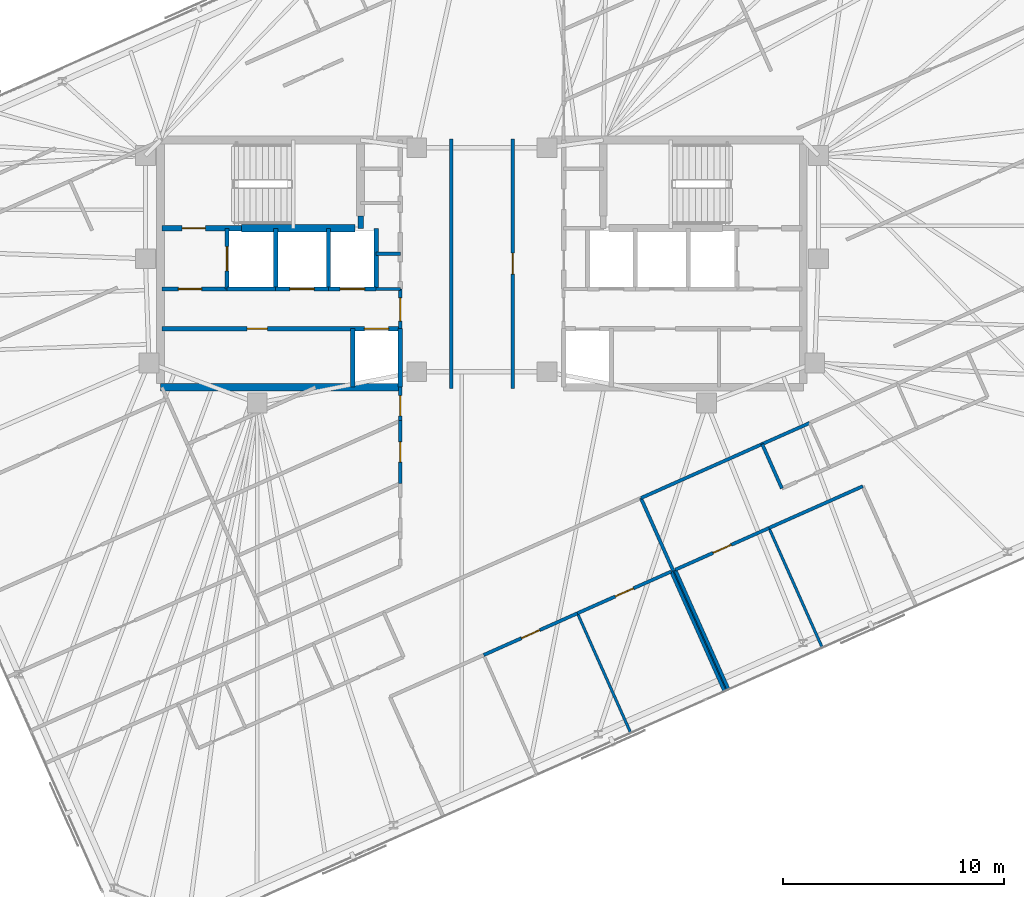
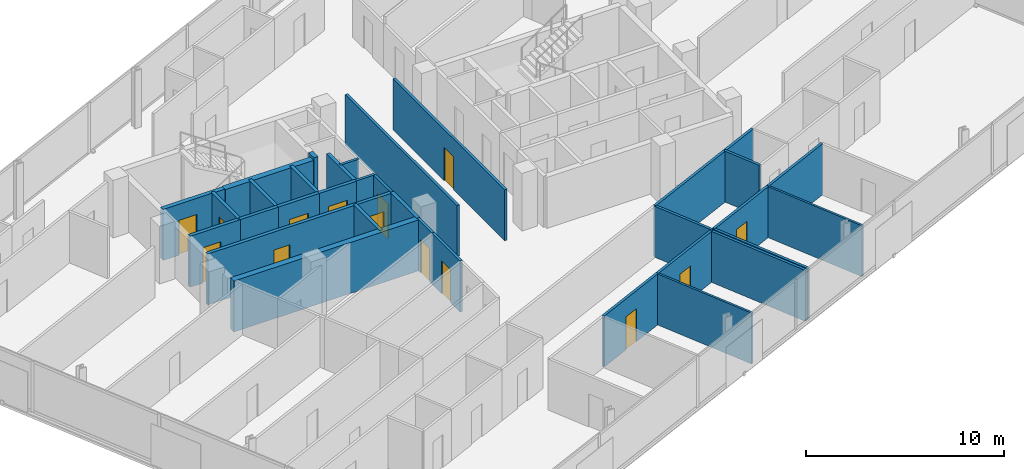
# One storey, part 14 of 19: 34 walls, 14 doors, 14 openings.
"""IFC4 building model written with IfcOpenShell, lengths in metres."""

from ifc_helpers import new_model, si_unit, direction, frame, frame_2d, origin, place, context, subcontext, project, spatial, rectangle, extrude, material, layer, layer_set, type_object, element, fill, save


model = new_model("IFC4")

# Units and contexts
model_context = context("Model", 3, precision=1e-05, world=origin(), true_north=direction((0.0, 1.0)))
body_context = subcontext(model_context, "Body", "Model", "MODEL_VIEW")
ifc_project = project(units=[si_unit("LENGTHUNIT", "METRE"), si_unit("AREAUNIT", "SQUARE_METRE"), si_unit("VOLUMEUNIT", "CUBIC_METRE"), si_unit("PLANEANGLEUNIT", "RADIAN"), si_unit("MASSUNIT", "GRAM", prefix="KILO")], contexts=[model_context])

# Site, building, storey
site_placement = place(None, origin())
site = spatial("IfcSite", under=ifc_project, at=site_placement, CompositionType="ELEMENT")
building_placement = place(site_placement, origin())
building = spatial("IfcBuilding", under=site, at=building_placement, Name="Menara Jurai Vektor", CompositionType="ELEMENT")
storey_placement = place(building_placement, frame((0.0, 0.0, 302.0)))
storey = spatial("IfcBuildingStorey", under=building, at=storey_placement, Name="L81", CompositionType="ELEMENT", Elevation=302.0)

# Wall, opening, door
ifc_material_1 = material(Name="Concrete C40/50", Category="concrete")
ifc_layer_1 = layer(ifc_material_1, 0.25)
ifc_layer_set_1 = layer_set([ifc_layer_1], Name="Concrete C40/50")
wall_type_1 = type_object("IfcWallType", Name="INT-WALL-CORE-250", PredefinedType="STANDARD", material=ifc_layer_set_1)
wall_1_placement = place(storey_placement, frame((-14.5, 1.60009765625, 0.0), z_axis=(0.0, 0.0, 1.0), x_axis=(1.0, 0.0, 0.0)))
wall_1 = element("IfcWall", 1, at=wall_1_placement, inside=storey, type_object=wall_type_1, Name="Interior Wall IW-250 L81", PredefinedType="STANDARD", context=body_context, shape_type="SweptSolid", body=[
    extrude(rectangle(XDim=3.60009765625, YDim=0.25, at=frame_2d((1.800048828125, 0.0))), origin(), (0.0, 0.0, 1.0), 3.14501953125),
])
opening_1_placement = place(wall_1_placement, frame((0.919921875, 0.0, 0.0)))
opening_1 = element("IfcOpeningElement", 2, at=opening_1_placement, cuts=wall_1, Name="Opening D-L81-ST1", PredefinedType="OPENING", context=body_context, shape_type="SweptSolid", body=[
    extrude(rectangle(XDim=1.050048828125, YDim=2.14990234375, at=frame_2d((0.52490234375, 1.074951171875))), frame((0.0, 0.135009765625, 0.0), z_axis=(0.0, -1.0, 0.0), x_axis=(1.0, 0.0, 0.0)), (0.0, 0.0, 1.0), 0.27001953125),
])
ifc_material_2 = material(Name="Fire-Rated Steel Door", Category="steel")
door_type_1 = type_object("IfcDoorType", Name="DR-STAIR-1050", OperationType="NOTDEFINED", PredefinedType="DOOR", material=ifc_material_2)
door_1_placement = place(opening_1_placement, origin())
door_1 = element("IfcDoor", 3, at=door_1_placement, inside=storey, type_object=door_type_1, Name="Exit Stair ST1 Door L81", OperationType="SINGLE_SWING_RIGHT", OverallHeight=2.14990234375, OverallWidth=1.050048828125, PredefinedType="DOOR", context=body_context, shape_type="SweptSolid", body=[
    extrude(rectangle(XDim=1.050048828125, YDim=2.14990234375, at=frame_2d((0.52490234375, 1.074951171875))), frame((0.0, 0.02490234375, 0.0), z_axis=(0.0, -1.0, 0.0), x_axis=(1.0, 0.0, 0.0)), (0.0, 0.0, 1.0), 0.050048828125),
])
fill(opening_1, door_1)

# Wall
wall_2_placement = place(storey_placement, frame((-5.5, 1.60009765625, 0.0), z_axis=(0.0, 0.0, 1.0), x_axis=(0.0, 1.0, 0.0)))
element("IfcWall", 4, at=wall_2_placement, inside=storey, type_object=wall_type_1, Name="Interior Wall IW-250 L81", PredefinedType="STANDARD", context=body_context, shape_type="SweptSolid", body=[
    extrude(rectangle(XDim=0.5498046875, YDim=0.25, at=frame_2d((0.27490234375, 0.0))), origin(), (0.0, 0.0, 1.0), 3.14501953125),
])

# Wall, opening, door
wall_3_placement = place(storey_placement, frame((-11.550048828125, -1.14990234375, 0.0), z_axis=(0.0, 0.0, 1.0), x_axis=(0.0, 1.0, 0.0)))
wall_3 = element("IfcWall", 5, at=wall_3_placement, inside=storey, type_object=wall_type_1, Name="Interior Wall IW-250 L81", PredefinedType="STANDARD", context=body_context, shape_type="SweptSolid", body=[
    extrude(rectangle(XDim=2.75, YDim=0.199951171875, at=frame_2d((1.375, 0.0))), origin(), (0.0, 0.0, 1.0), 3.14501953125),
])
opening_2_placement = place(wall_3_placement, frame((0.824951171875, 0.0, 0.0)))
opening_2 = element("IfcOpeningElement", 6, at=opening_2_placement, cuts=wall_3, Name="Opening LD-L81-FL1", PredefinedType="OPENING", context=body_context, shape_type="SweptSolid", body=[
    extrude(rectangle(XDim=1.10009765625, YDim=2.14990234375, at=frame_2d((0.550048828125, 1.074951171875))), frame((0.0, 0.10986328125, 0.0), z_axis=(0.0, -1.0, 0.0), x_axis=(1.0, 0.0, 0.0)), (0.0, 0.0, 1.0), 0.219970703125),
])
ifc_material_3 = material(Name="Stainless Steel Sliding Lift Landing Door", Category="steel")
door_type_2 = type_object("IfcDoorType", Name="DR-LIFT-FIRE-1100", OperationType="NOTDEFINED", PredefinedType="DOOR", material=ifc_material_3)
door_2_placement = place(opening_2_placement, origin())
door_2 = element("IfcDoor", 7, at=door_2_placement, inside=storey, type_object=door_type_2, Name="Lift Landing Door FL1 L81", OperationType="SLIDING_TO_RIGHT", OverallHeight=2.14990234375, OverallWidth=1.10009765625, PredefinedType="DOOR", context=body_context, shape_type="SweptSolid", body=[
    extrude(rectangle(XDim=1.10009765625, YDim=2.14990234375, at=frame_2d((0.550048828125, 1.074951171875))), frame((0.0, 0.02490234375, 0.0), z_axis=(0.0, -1.0, 0.0), x_axis=(1.0, 0.0, 0.0)), (0.0, 0.0, 1.0), 0.050048828125),
])
fill(opening_2, door_2)

# Wall
wall_4_placement = place(storey_placement, frame((-9.35009765625, -1.14990234375, 0.0), z_axis=(0.0, 0.0, 1.0), x_axis=(0.0, 1.0, 0.0)))
element("IfcWall", 8, at=wall_4_placement, inside=storey, type_object=wall_type_1, Name="Interior Wall IW-250 L81", PredefinedType="STANDARD", context=body_context, shape_type="SweptSolid", body=[
    extrude(rectangle(XDim=2.75, YDim=0.199951171875, at=frame_2d((1.375, 0.0))), origin(), (0.0, 0.0, 1.0), 3.14501953125),
])

# Wall, opening, door
wall_5_placement = place(storey_placement, frame((-14.5, -1.14990234375, 0.0), z_axis=(0.0, 0.0, 1.0), x_axis=(1.0, 0.0, 0.0)))
wall_5 = element("IfcWall", 9, at=wall_5_placement, inside=storey, type_object=wall_type_1, Name="Interior Wall IW-250 L81", PredefinedType="STANDARD", context=body_context, shape_type="SweptSolid", body=[
    extrude(rectangle(XDim=2.949951171875, YDim=0.199951171875, at=frame_2d((1.47509765625, 0.0))), origin(), (0.0, 0.0, 1.0), 3.14501953125),
])
opening_3_placement = place(wall_5_placement, frame((0.75, 0.0, 0.0)))
opening_3 = element("IfcOpeningElement", 10, at=opening_3_placement, cuts=wall_5, Name="Opening D-L81-FFW", PredefinedType="OPENING", context=body_context, shape_type="SweptSolid", body=[
    extrude(rectangle(XDim=1.050048828125, YDim=2.179931640625, at=frame_2d((0.52490234375, 1.08984375))), frame((0.0, 0.10986328125, 0.0), z_axis=(0.0, -1.0, 0.0), x_axis=(1.0, 0.0, 0.0)), (0.0, 0.0, 1.0), 0.219970703125),
])
ifc_material_4 = material(Name="Fire-Rated Timber Door", Category="wood")
door_type_3 = type_object("IfcDoorType", Name="DR-LOBBY-1050", OperationType="NOTDEFINED", PredefinedType="DOOR", material=ifc_material_4)
door_3_placement = place(opening_3_placement, origin())
door_3 = element("IfcDoor", 11, at=door_3_placement, inside=storey, type_object=door_type_3, Name="Fire Lift Lobby Door W L81", OperationType="SINGLE_SWING_RIGHT", OverallHeight=2.179931640625, OverallWidth=1.050048828125, PredefinedType="DOOR", context=body_context, shape_type="SweptSolid", body=[
    extrude(rectangle(XDim=1.050048828125, YDim=2.179931640625, at=frame_2d((0.52490234375, 1.08984375))), frame((0.0, 0.02490234375, 0.0), z_axis=(0.0, -1.0, 0.0), x_axis=(1.0, 0.0, 0.0)), (0.0, 0.0, 1.0), 0.050048828125),
])
fill(opening_3, door_3)

# Wall
wall_6_placement = place(storey_placement, frame((-11.550048828125, -1.14990234375, 0.0), z_axis=(0.0, 0.0, 1.0), x_axis=(1.0, 0.0, 0.0)))
element("IfcWall", 12, at=wall_6_placement, inside=storey, type_object=wall_type_1, Name="Interior Wall IW-250 L81", PredefinedType="STANDARD", context=body_context, shape_type="SweptSolid", body=[
    extrude(rectangle(XDim=2.199951171875, YDim=0.199951171875, at=frame_2d((1.10009765625, 0.0))), origin(), (0.0, 0.0, 1.0), 3.14501953125),
])

# Wall, opening, door
ifc_material_5 = material(Name="Gypsum Fireboard Partition", Category="gypsum")
ifc_layer_2 = layer(ifc_material_5, 0.14990234375)
ifc_layer_set_2 = layer_set([ifc_layer_2], Name="Gypsum Fireboard Partition")
wall_type_2 = type_object("IfcWallType", Name="INT-WALL-CORR-150", PredefinedType="PARTITIONING", material=ifc_layer_set_2)
wall_7_placement = place(storey_placement, frame((-3.699951171875, -2.949951171875, 0.0), z_axis=(0.0, 0.0, 1.0), x_axis=(0.0, 1.0, 0.0)))
wall_7 = element("IfcWall", 13, at=wall_7_placement, inside=storey, type_object=wall_type_2, Name="Interior Wall IW-150 L81", PredefinedType="PARTITIONING", context=body_context, shape_type="SweptSolid", body=[
    extrude(rectangle(XDim=1.800048828125, YDim=0.14990234375, at=frame_2d((0.89990234375, 0.0))), origin(), (0.0, 0.0, 1.0), 3.14501953125),
])
opening_4_placement = place(wall_7_placement, frame((0.35009765625, 0.0, 0.0)))
opening_4 = element("IfcOpeningElement", 14, at=opening_4_placement, cuts=wall_7, Name="Opening D-L81-LLW", PredefinedType="OPENING", context=body_context, shape_type="SweptSolid", body=[
    extrude(rectangle(XDim=1.050048828125, YDim=2.179931640625, at=frame_2d((0.52490234375, 1.08984375))), frame((0.0, 0.0849609375, 0.0), z_axis=(0.0, -1.0, 0.0), x_axis=(1.0, 0.0, 0.0)), (0.0, 0.0, 1.0), 0.169921875),
])
door_4_placement = place(opening_4_placement, origin())
door_4 = element("IfcDoor", 15, at=door_4_placement, inside=storey, type_object=door_type_3, Name="Lift Lobby Corridor Door W L81", OperationType="SINGLE_SWING_LEFT", OverallHeight=2.179931640625, OverallWidth=1.050048828125, PredefinedType="DOOR", context=body_context, shape_type="SweptSolid", body=[
    extrude(rectangle(XDim=1.050048828125, YDim=2.179931640625, at=frame_2d((0.52490234375, 1.08984375))), frame((0.0, 0.02490234375, 0.0), z_axis=(0.0, -1.0, 0.0), x_axis=(1.0, 0.0, 0.0)), (0.0, 0.0, 1.0), 0.050048828125),
])
fill(opening_4, door_4)

# Walls
for number, where, z_axis, x_axis, name in (
    (16, (-4.7900390625, -1.14990234375, 0.0), (0.0, 0.0, 1.0), (1.0, 0.0, 0.0), "Interior Wall IW-150 L81"),
    (17, (-4.7900390625, 0.449951171875, 0.0), (0.0, 0.0, 1.0), (1.0, 0.0, 0.0), "Interior Wall IW-150 L81"),
):
    element("IfcWall", number, at=place(storey_placement, frame(where, z_axis=z_axis, x_axis=x_axis)), inside=storey, type_object=wall_type_2, Name=name, PredefinedType="PARTITIONING", context=body_context, shape_type="SweptSolid", body=[
        extrude(rectangle(XDim=1.090087890625, YDim=0.14990234375, at=frame_2d((0.544921875, 0.0))), origin(), (0.0, 0.0, 1.0), 3.14501953125),
    ])
wall_8_placement = place(storey_placement, frame((-1.390869140625, -5.64990234375, 0.0), z_axis=(0.0, 0.0, 1.0), x_axis=(-2.1605738e-05, 0.999999999767, 0.0)))
element("IfcWall", 18, at=wall_8_placement, inside=storey, type_object=wall_type_2, Name="Interior Wall IW-150 L81", PredefinedType="PARTITIONING", context=body_context, shape_type="SweptSolid", body=[
    extrude(rectangle(XDim=11.2998046875, YDim=0.14990234375, at=frame_2d((5.64990234375, 0.0))), origin(), (0.0, 0.0, 1.0), 3.14501953125),
])

# Wall, opening, door
wall_9_placement = place(storey_placement, frame((1.390869140625, -5.650390625, 0.0), z_axis=(0.0, 0.0, 1.0), x_axis=(4.3206809e-05, 0.999999999067, 0.0)))
wall_9 = element("IfcWall", 19, at=wall_9_placement, inside=storey, type_object=wall_type_2, Name="Interior Wall IW-150 L81", PredefinedType="PARTITIONING", context=body_context, shape_type="SweptSolid", body=[
    extrude(rectangle(XDim=11.301025390625, YDim=0.14990234375, at=frame_2d((5.650390625, 0.0))), origin(), (0.0, 0.0, 1.0), 3.14501953125),
])
opening_5_placement = place(wall_9_placement, frame((5.175537109375, 0.0, 0.0)))
opening_5 = element("IfcOpeningElement", 20, at=opening_5_placement, cuts=wall_9, Name="Opening D81-09", PredefinedType="OPENING", context=body_context, shape_type="SweptSolid", body=[
    extrude(rectangle(XDim=0.949951171875, YDim=2.0400390625, at=frame_2d((0.47509765625, 1.02001953125))), frame((0.0, 0.0849609375, 0.0), z_axis=(0.0, -1.0, 0.0), x_axis=(1.0, 0.0, 0.0)), (0.0, 0.0, 1.0), 0.169921875),
])
ifc_material_6 = material(Name="Solid Core Timber Fire Door", Category="wood")
door_type_4 = type_object("IfcDoorType", Name="DR-ENTRY-950", OperationType="NOTDEFINED", PredefinedType="DOOR", material=ifc_material_6)
door_5_placement = place(opening_5_placement, origin())
door_5 = element("IfcDoor", 21, at=door_5_placement, inside=storey, type_object=door_type_4, Name="Interior Door D81-09", OperationType="SINGLE_SWING_LEFT", OverallHeight=2.0400390625, OverallWidth=0.949951171875, PredefinedType="DOOR", context=body_context, shape_type="SweptSolid", body=[
    extrude(rectangle(XDim=0.949951171875, YDim=2.0400390625, at=frame_2d((0.47509765625, 1.02001953125))), frame((0.0, 0.02490234375, 0.0), z_axis=(0.0, -1.0, 0.0), x_axis=(1.0, 0.0, 0.0)), (0.0, 0.0, 1.0), 0.050048828125),
])
fill(opening_5, door_5)

# Walls
wall_10_placement = place(storey_placement, frame((7.20361328125, -10.6220703125, 0.0), z_axis=(0.0, 0.0, 1.0), x_axis=(0.913545172627, 0.406737283231, 0.0)))
element("IfcWall", 22, at=wall_10_placement, inside=storey, type_object=wall_type_2, Name="Interior Wall IW-150 L81", PredefinedType="PARTITIONING", context=body_context, shape_type="SweptSolid", body=[
    extrude(rectangle(XDim=6.013916015625, YDim=0.14990234375, at=frame_2d((3.0068359375, 0.0))), origin(), (0.0, 0.0, 1.0), 3.14501953125),
])
wall_11_placement = place(storey_placement, frame((12.697509765625, -8.176025390625, 0.0), z_axis=(0.0, 0.0, 1.0), x_axis=(0.913558622212, 0.406707073682, 0.0)))
element("IfcWall", 23, at=wall_11_placement, inside=storey, type_object=wall_type_2, Name="Interior Wall IW-150 L81", PredefinedType="PARTITIONING", context=body_context, shape_type="SweptSolid", body=[
    extrude(rectangle(XDim=2.35009765625, YDim=0.14990234375, at=frame_2d((1.175048828125, 0.0))), origin(), (0.0, 0.0, 1.0), 3.14501953125),
])

# Wall, opening, door
wall_12_placement = place(storey_placement, frame((-3.699951171875, -9.95849609375, 0.0), z_axis=(0.0, 0.0, 1.0), x_axis=(-0.000171909917, 0.999999985223, 0.0)))
wall_12 = element("IfcWall", 24, at=wall_12_placement, inside=storey, type_object=wall_type_2, Name="Interior Wall IW-150 L81", PredefinedType="PARTITIONING", context=body_context, shape_type="SweptSolid", body=[
    extrude(rectangle(XDim=2.84033203125, YDim=0.14990234375, at=frame_2d((1.420166015625, 0.0))), origin(), (0.0, 0.0, 1.0), 3.14501953125),
])
opening_6_placement = place(wall_12_placement, frame((0.960205078125, 0.0, 0.0)))
opening_6 = element("IfcOpeningElement", 25, at=opening_6_placement, cuts=wall_12, Name="Opening D81-35", PredefinedType="OPENING", context=body_context, shape_type="SweptSolid", body=[
    extrude(rectangle(XDim=0.919921875, YDim=2.0400390625, at=frame_2d((0.4599609375, 1.02001953125))), frame((0.0, 0.0849609375, 0.0), z_axis=(0.0, -1.0, 0.0), x_axis=(1.0, 0.0, 0.0)), (0.0, 0.0, 1.0), 0.169921875),
])
door_6_placement = place(opening_6_placement, origin())
door_6 = element("IfcDoor", 26, at=door_6_placement, inside=storey, type_object=door_type_4, Name="Interior Door D81-35", OperationType="SINGLE_SWING_LEFT", OverallHeight=2.0400390625, OverallWidth=0.919921875, PredefinedType="DOOR", context=body_context, shape_type="SweptSolid", body=[
    extrude(rectangle(XDim=0.919921875, YDim=2.0400390625, at=frame_2d((0.4599609375, 1.02001953125))), frame((0.0, 0.02490234375, 0.0), z_axis=(0.0, -1.0, 0.0), x_axis=(1.0, 0.0, 0.0)), (0.0, 0.0, 1.0), 0.050048828125),
])
fill(opening_6, door_6)

wall_13_placement = place(storey_placement, frame((-3.700439453125, -7.1181640625, 0.0), z_axis=(0.0, 0.0, 1.0), x_axis=(0.000321543392, 0.999999948305, 0.0)))
wall_13 = element("IfcWall", 27, at=wall_13_placement, inside=storey, type_object=wall_type_2, Name="Interior Wall IW-150 L81", PredefinedType="PARTITIONING", context=body_context, shape_type="SweptSolid", body=[
    extrude(rectangle(XDim=1.5185546875, YDim=0.14990234375, at=frame_2d((0.75927734375, 0.0))), origin(), (0.0, 0.0, 1.0), 3.14501953125),
])
opening_7_placement = place(wall_13_placement, frame((0.219970703125, 0.0, 0.0)))
opening_7 = element("IfcOpeningElement", 28, at=opening_7_placement, cuts=wall_13, Name="Opening D81-36", PredefinedType="OPENING", context=body_context, shape_type="SweptSolid", body=[
    extrude(rectangle(XDim=0.919921875, YDim=2.0400390625, at=frame_2d((0.4599609375, 1.02001953125))), frame((0.0, 0.0849609375, 0.0), z_axis=(0.0, -1.0, 0.0), x_axis=(1.0, 0.0, 0.0)), (0.0, 0.0, 1.0), 0.169921875),
])
door_7_placement = place(opening_7_placement, origin())
door_7 = element("IfcDoor", 29, at=door_7_placement, inside=storey, type_object=door_type_4, Name="Interior Door D81-36", OperationType="SINGLE_SWING_RIGHT", OverallHeight=2.0400390625, OverallWidth=0.919921875, PredefinedType="DOOR", context=body_context, shape_type="SweptSolid", body=[
    extrude(rectangle(XDim=0.919921875, YDim=2.0400390625, at=frame_2d((0.4599609375, 1.02001953125))), frame((0.0, 0.02490234375, 0.0), z_axis=(0.0, -1.0, 0.0), x_axis=(1.0, 0.0, 0.0)), (0.0, 0.0, 1.0), 0.050048828125),
])
fill(opening_7, door_7)

wall_14_placement = place(storey_placement, frame((0.080322265625, -17.734130859375, 0.0), z_axis=(0.0, 0.0, 1.0), x_axis=(0.91354505039, 0.40673755778, 0.0)))
wall_14 = element("IfcWall", 30, at=wall_14_placement, inside=storey, type_object=wall_type_2, Name="Interior Wall IW-150 L81", PredefinedType="PARTITIONING", context=body_context, shape_type="SweptSolid", body=[
    extrude(rectangle(XDim=4.650146484375, YDim=0.14990234375, at=frame_2d((2.3251953125, 0.0))), origin(), (0.0, 0.0, 1.0), 3.14501953125),
])
opening_8_placement = place(wall_14_placement, frame((1.875, 0.0, 0.0)))
opening_8 = element("IfcOpeningElement", 31, at=opening_8_placement, cuts=wall_14, Name="Opening D81-18", PredefinedType="OPENING", context=body_context, shape_type="SweptSolid", body=[
    extrude(rectangle(XDim=0.89990234375, YDim=2.0400390625, at=frame_2d((0.449951171875, 1.02001953125))), frame((0.0, 0.0849609375, 0.0), z_axis=(0.0, -1.0, 0.0), x_axis=(1.0, 0.0, 0.0)), (0.0, 0.0, 1.0), 0.169921875),
])
ifc_material_7 = material(Name="Acoustic Timber Interior Door", Category="wood")
door_type_5 = type_object("IfcDoorType", Name="DR-ROOM-900", OperationType="NOTDEFINED", PredefinedType="DOOR", material=ifc_material_7)
door_8_placement = place(opening_8_placement, origin())
door_8 = element("IfcDoor", 32, at=door_8_placement, inside=storey, type_object=door_type_5, Name="Interior Door D81-18", OperationType="SINGLE_SWING_RIGHT", OverallHeight=2.0400390625, OverallWidth=0.89990234375, PredefinedType="DOOR", context=body_context, shape_type="SweptSolid", body=[
    extrude(rectangle(XDim=0.89990234375, YDim=2.0400390625, at=frame_2d((0.449951171875, 1.02001953125))), frame((0.0, 0.02490234375, 0.0), z_axis=(0.0, -1.0, 0.0), x_axis=(1.0, 0.0, 0.0)), (0.0, 0.0, 1.0), 0.050048828125),
])
fill(opening_8, door_8)

wall_15_placement = place(storey_placement, frame((4.328369140625, -15.8427734375, 0.0), z_axis=(0.0, 0.0, 1.0), x_axis=(0.91354505039, 0.40673755778, 0.0)))
wall_15 = element("IfcWall", 33, at=wall_15_placement, inside=storey, type_object=wall_type_2, Name="Interior Wall IW-150 L81", PredefinedType="PARTITIONING", context=body_context, shape_type="SweptSolid", body=[
    extrude(rectangle(XDim=4.650146484375, YDim=0.14990234375, at=frame_2d((2.3251953125, 0.0))), origin(), (0.0, 0.0, 1.0), 3.14501953125),
])
opening_9_placement = place(wall_15_placement, frame((1.875, 0.0, 0.0)))
opening_9 = element("IfcOpeningElement", 34, at=opening_9_placement, cuts=wall_15, Name="Opening D81-19", PredefinedType="OPENING", context=body_context, shape_type="SweptSolid", body=[
    extrude(rectangle(XDim=0.89990234375, YDim=2.0400390625, at=frame_2d((0.449951171875, 1.02001953125))), frame((0.0, 0.0849609375, 0.0), z_axis=(0.0, -1.0, 0.0), x_axis=(1.0, 0.0, 0.0)), (0.0, 0.0, 1.0), 0.169921875),
])
door_9_placement = place(opening_9_placement, origin())
door_9 = element("IfcDoor", 35, at=door_9_placement, inside=storey, type_object=door_type_5, Name="Interior Door D81-19", OperationType="SINGLE_SWING_LEFT", OverallHeight=2.0400390625, OverallWidth=0.89990234375, PredefinedType="DOOR", context=body_context, shape_type="SweptSolid", body=[
    extrude(rectangle(XDim=0.89990234375, YDim=2.0400390625, at=frame_2d((0.449951171875, 1.02001953125))), frame((0.0, 0.02490234375, 0.0), z_axis=(0.0, -1.0, 0.0), x_axis=(1.0, 0.0, 0.0)), (0.0, 0.0, 1.0), 0.050048828125),
])
fill(opening_9, door_9)

# Walls
wall_16_placement = place(storey_placement, frame((10.990478515625, -19.373291015625, 0.0), z_axis=(0.0, 0.0, 1.0), x_axis=(-0.406749048544, 0.913539934271, 0.0)))
element("IfcWall", 36, at=wall_16_placement, inside=storey, type_object=wall_type_2, Name="Interior Wall IW-150 L81", PredefinedType="PARTITIONING", context=body_context, shape_type="SweptSolid", body=[
    extrude(rectangle(XDim=5.93505859375, YDim=0.14990234375, at=frame_2d((2.967529296875, 0.0))), origin(), (0.0, 0.0, 1.0), 3.14501953125),
])
wall_17_placement = place(storey_placement, frame((11.081787109375, -19.332763671875, 0.0), z_axis=(0.0, 0.0, 1.0), x_axis=(-0.406729927653, 0.913548447512, 0.0)))
element("IfcWall", 37, at=wall_17_placement, inside=storey, type_object=wall_type_2, Name="Interior Wall IW-150 L81", PredefinedType="PARTITIONING", context=body_context, shape_type="SweptSolid", body=[
    extrude(rectangle(XDim=9.534912109375, YDim=0.14990234375, at=frame_2d((4.767578125, 0.0))), origin(), (0.0, 0.0, 1.0), 3.14501953125),
])
wall_18_placement = place(storey_placement, frame((13.59228515625, -10.185791015625, 0.0), z_axis=(0.0, 0.0, 1.0), x_axis=(-0.406725294076, 0.913550510459, 0.0)))
element("IfcWall", 38, at=wall_18_placement, inside=storey, type_object=wall_type_2, Name="Interior Wall IW-150 L81", PredefinedType="PARTITIONING", context=body_context, shape_type="SweptSolid", body=[
    extrude(rectangle(XDim=2.199951171875, YDim=0.14990234375, at=frame_2d((1.10009765625, 0.0))), origin(), (0.0, 0.0, 1.0), 3.14501953125),
])
wall_19_placement = place(storey_placement, frame((11.173095703125, -19.2919921875, 0.0), z_axis=(0.0, 0.0, 1.0), x_axis=(-0.406749048544, 0.913539934271, 0.0)))
element("IfcWall", 39, at=wall_19_placement, inside=storey, type_object=wall_type_2, Name="Interior Wall IW-150 L81", PredefinedType="PARTITIONING", context=body_context, shape_type="SweptSolid", body=[
    extrude(rectangle(XDim=5.93505859375, YDim=0.14990234375, at=frame_2d((2.967529296875, 0.0))), origin(), (0.0, 0.0, 1.0), 3.14501953125),
])

# Wall, opening, door
wall_20_placement = place(storey_placement, frame((8.759033203125, -13.8701171875, 0.0), z_axis=(0.0, 0.0, 1.0), x_axis=(0.91354505039, 0.40673755778, 0.0)))
wall_20 = element("IfcWall", 40, at=wall_20_placement, inside=storey, type_object=wall_type_2, Name="Interior Wall IW-150 L81", PredefinedType="PARTITIONING", context=body_context, shape_type="SweptSolid", body=[
    extrude(rectangle(XDim=4.650146484375, YDim=0.14990234375, at=frame_2d((2.3251953125, 0.0))), origin(), (0.0, 0.0, 1.0), 3.14501953125),
])
opening_10_placement = place(wall_20_placement, frame((1.875, 0.0, 0.0)))
opening_10 = element("IfcOpeningElement", 41, at=opening_10_placement, cuts=wall_20, Name="Opening D81-24", PredefinedType="OPENING", context=body_context, shape_type="SweptSolid", body=[
    extrude(rectangle(XDim=0.89990234375, YDim=2.0400390625, at=frame_2d((0.449951171875, 1.02001953125))), frame((0.0, 0.0849609375, 0.0), z_axis=(0.0, -1.0, 0.0), x_axis=(1.0, 0.0, 0.0)), (0.0, 0.0, 1.0), 0.169921875),
])
door_10_placement = place(opening_10_placement, origin())
door_10 = element("IfcDoor", 42, at=door_10_placement, inside=storey, type_object=door_type_5, Name="Interior Door D81-24", OperationType="SINGLE_SWING_RIGHT", OverallHeight=2.0400390625, OverallWidth=0.89990234375, PredefinedType="DOOR", context=body_context, shape_type="SweptSolid", body=[
    extrude(rectangle(XDim=0.89990234375, YDim=2.0400390625, at=frame_2d((0.449951171875, 1.02001953125))), frame((0.0, 0.02490234375, 0.0), z_axis=(0.0, -1.0, 0.0), x_axis=(1.0, 0.0, 0.0)), (0.0, 0.0, 1.0), 0.050048828125),
])
fill(opening_10, door_10)

# Walls
wall_21_placement = place(storey_placement, frame((13.007080078125, -11.978759765625, 0.0), z_axis=(0.0, 0.0, 1.0), x_axis=(0.91354505039, 0.40673755778, 0.0)))
element("IfcWall", 43, at=wall_21_placement, inside=storey, type_object=wall_type_2, Name="Interior Wall IW-150 L81", PredefinedType="PARTITIONING", context=body_context, shape_type="SweptSolid", body=[
    extrude(rectangle(XDim=4.650146484375, YDim=0.14990234375, at=frame_2d((2.3251953125, 0.0))), origin(), (0.0, 0.0, 1.0), 3.14501953125),
])
ifc_material_8 = material(Name="Gypsum Acoustic Stud Partition", Category="gypsum")
ifc_layer_3 = layer(ifc_material_8, 0.1201171875)
ifc_layer_set_3 = layer_set([ifc_layer_3], Name="Gypsum Acoustic Stud Partition")
wall_type_3 = type_object("IfcWallType", Name="INT-WALL-PART-120", PredefinedType="PARTITIONING", material=ifc_layer_set_3)
for number, where, z_axis, x_axis, name in (
    (44, (6.742431640625, -21.2646484375, 0.0), (0.0, 0.0, 1.0), (-0.406749048544, 0.913539934271, 0.0), "Interior Wall IW-120 L81"),
    (45, (15.421142578125, -17.400634765625, 0.0), (0.0, 0.0, 1.0), (-0.406749048544, 0.913539934271, 0.0), "Interior Wall IW-120 L81"),
):
    element("IfcWall", number, at=place(storey_placement, frame(where, z_axis=z_axis, x_axis=x_axis)), inside=storey, type_object=wall_type_3, Name=name, PredefinedType="PARTITIONING", context=body_context, shape_type="SweptSolid", body=[
        extrude(rectangle(XDim=5.93505859375, YDim=0.1201171875, at=frame_2d((2.967529296875, 0.0))), origin(), (0.0, 0.0, 1.0), 3.14501953125),
    ])
ifc_layer_4 = layer(ifc_material_1, 0.199951171875)
ifc_layer_set_4 = layer_set([ifc_layer_4], Name="Concrete C40/50")
wall_type_4 = type_object("IfcWallType", Name="INT-WALL-SHAFT-200", PredefinedType="STANDARD", material=ifc_layer_set_4)
wall_22_placement = place(storey_placement, frame((-3.699951171875, -5.60009765625, 0.0), z_axis=(0.0, 0.0, 1.0), x_axis=(0.0, 1.0, 0.0)))
element("IfcWall", 46, at=wall_22_placement, inside=storey, type_object=wall_type_4, Name="Interior Wall IW-200 L81", PredefinedType="STANDARD", context=body_context, shape_type="SweptSolid", body=[
    extrude(rectangle(XDim=2.650146484375, YDim=0.199951171875, at=frame_2d((1.3251953125, 0.0))), origin(), (0.0, 0.0, 1.0), 3.14501953125),
])
wall_23_placement = place(storey_placement, frame((-6.949951171875, -1.14990234375, 0.0), z_axis=(0.0, 0.0, 1.0), x_axis=(0.0, 1.0, 0.0)))
element("IfcWall", 47, at=wall_23_placement, inside=storey, type_object=wall_type_4, Name="Interior Wall IW-200 L81", PredefinedType="STANDARD", context=body_context, shape_type="SweptSolid", body=[
    extrude(rectangle(XDim=2.75, YDim=0.199951171875, at=frame_2d((1.375, 0.0))), origin(), (0.0, 0.0, 1.0), 3.14501953125),
])

# Wall, opening, door
wall_24_placement = place(storey_placement, frame((-9.35009765625, -1.14990234375, 0.0), z_axis=(0.0, 0.0, 1.0), x_axis=(1.0, 0.0, 0.0)))
wall_24 = element("IfcWall", 48, at=wall_24_placement, inside=storey, type_object=wall_type_4, Name="Interior Wall IW-200 L81", PredefinedType="STANDARD", context=body_context, shape_type="SweptSolid", body=[
    extrude(rectangle(XDim=2.400146484375, YDim=0.199951171875, at=frame_2d((1.2001953125, 0.0))), origin(), (0.0, 0.0, 1.0), 3.14501953125),
])
opening_11_placement = place(wall_24_placement, frame((0.64990234375, 0.0, 0.0)))
opening_11 = element("IfcOpeningElement", 49, at=opening_11_placement, cuts=wall_24, Name="Opening LD-L81-SVL1", PredefinedType="OPENING", context=body_context, shape_type="SweptSolid", body=[
    extrude(rectangle(XDim=1.10009765625, YDim=2.14990234375, at=frame_2d((0.550048828125, 1.074951171875))), frame((0.0, 0.10986328125, 0.0), z_axis=(0.0, -1.0, 0.0), x_axis=(1.0, 0.0, 0.0)), (0.0, 0.0, 1.0), 0.219970703125),
])
ifc_material_9 = material(Name="Anodised Stainless Sliding Lift Landing Door", Category="steel")
door_type_6 = type_object("IfcDoorType", Name="DR-LIFT-PASS-1100", OperationType="NOTDEFINED", PredefinedType="DOOR", material=ifc_material_9)
door_11_placement = place(opening_11_placement, origin())
door_11 = element("IfcDoor", 50, at=door_11_placement, inside=storey, type_object=door_type_6, Name="Lift Landing Door SVL1 L81", OperationType="SLIDING_TO_RIGHT", OverallHeight=2.14990234375, OverallWidth=1.10009765625, PredefinedType="DOOR", context=body_context, shape_type="SweptSolid", body=[
    extrude(rectangle(XDim=1.10009765625, YDim=2.14990234375, at=frame_2d((0.550048828125, 1.074951171875))), frame((0.0, 0.02490234375, 0.0), z_axis=(0.0, -1.0, 0.0), x_axis=(1.0, 0.0, 0.0)), (0.0, 0.0, 1.0), 0.050048828125),
])
fill(opening_11, door_11)

# Wall
wall_25_placement = place(storey_placement, frame((-4.7900390625, -1.14990234375, 0.0), z_axis=(0.0, 0.0, 1.0), x_axis=(0.0, 1.0, 0.0)))
element("IfcWall", 51, at=wall_25_placement, inside=storey, type_object=wall_type_4, Name="Interior Wall IW-200 L81", PredefinedType="STANDARD", context=body_context, shape_type="SweptSolid", body=[
    extrude(rectangle(XDim=2.75, YDim=0.199951171875, at=frame_2d((1.375, 0.0))), origin(), (0.0, 0.0, 1.0), 3.14501953125),
])

# Wall, opening, door
wall_26_placement = place(storey_placement, frame((-6.949951171875, -1.14990234375, 0.0), z_axis=(0.0, 0.0, 1.0), x_axis=(1.0, 0.0, 0.0)))
wall_26 = element("IfcWall", 52, at=wall_26_placement, inside=storey, type_object=wall_type_4, Name="Interior Wall IW-200 L81", PredefinedType="STANDARD", context=body_context, shape_type="SweptSolid", body=[
    extrude(rectangle(XDim=2.159912109375, YDim=0.199951171875, at=frame_2d((1.080078125, 0.0))), origin(), (0.0, 0.0, 1.0), 3.14501953125),
])
opening_12_placement = place(wall_26_placement, frame((0.530029296875, 0.0, 0.0)))
opening_12 = element("IfcOpeningElement", 53, at=opening_12_placement, cuts=wall_26, Name="Opening LD-L81-PH2", PredefinedType="OPENING", context=body_context, shape_type="SweptSolid", body=[
    extrude(rectangle(XDim=1.10009765625, YDim=2.14990234375, at=frame_2d((0.550048828125, 1.074951171875))), frame((0.0, 0.10986328125, 0.0), z_axis=(0.0, -1.0, 0.0), x_axis=(1.0, 0.0, 0.0)), (0.0, 0.0, 1.0), 0.219970703125),
])
door_12_placement = place(opening_12_placement, origin())
door_12 = element("IfcDoor", 54, at=door_12_placement, inside=storey, type_object=door_type_6, Name="Lift Landing Door PH2 L81", OperationType="SLIDING_TO_RIGHT", OverallHeight=2.14990234375, OverallWidth=1.10009765625, PredefinedType="DOOR", context=body_context, shape_type="SweptSolid", body=[
    extrude(rectangle(XDim=1.10009765625, YDim=2.14990234375, at=frame_2d((0.550048828125, 1.074951171875))), frame((0.0, 0.02490234375, 0.0), z_axis=(0.0, -1.0, 0.0), x_axis=(1.0, 0.0, 0.0)), (0.0, 0.0, 1.0), 0.050048828125),
])
fill(opening_12, door_12)

# Wall, openings, doors
wall_27_placement = place(storey_placement, frame((-14.5, -2.949951171875, 0.0), z_axis=(0.0, 0.0, 1.0), x_axis=(1.0, 0.0, 0.0)))
wall_27 = element("IfcWall", 55, at=wall_27_placement, inside=storey, type_object=wall_type_4, Name="Interior Wall IW-200 L81", PredefinedType="STANDARD", context=body_context, shape_type="SweptSolid", body=[
    extrude(rectangle(XDim=10.800048828125, YDim=0.199951171875, at=frame_2d((5.39990234375, 0.0))), origin(), (0.0, 0.0, 1.0), 3.14501953125),
])
opening_13_placement = place(wall_27_placement, frame((9.169921875, 0.0, 0.0)))
opening_13 = element("IfcOpeningElement", 56, at=opening_13_placement, cuts=wall_27, Name="Opening LD-L81-PH1", PredefinedType="OPENING", context=body_context, shape_type="SweptSolid", body=[
    extrude(rectangle(XDim=1.10009765625, YDim=2.14990234375, at=frame_2d((0.550048828125, 1.074951171875))), frame((0.0, 0.10986328125, 0.0), z_axis=(0.0, -1.0, 0.0), x_axis=(1.0, 0.0, 0.0)), (0.0, 0.0, 1.0), 0.219970703125),
])
opening_14_placement = place(wall_27_placement, frame((3.860107421875, 0.0, 0.0)))
opening_14 = element("IfcOpeningElement", 57, at=opening_14_placement, cuts=wall_27, Name="Opening D81-01", PredefinedType="OPENING", context=body_context, shape_type="SweptSolid", body=[
    extrude(rectangle(XDim=0.919921875, YDim=2.0400390625, at=frame_2d((0.4599609375, 1.02001953125))), frame((0.0, 0.10986328125, 0.0), z_axis=(0.0, -1.0, 0.0), x_axis=(1.0, 0.0, 0.0)), (0.0, 0.0, 1.0), 0.219970703125),
])
door_13_placement = place(opening_14_placement, origin())
door_13 = element("IfcDoor", 58, at=door_13_placement, inside=storey, type_object=door_type_4, Name="Interior Door D81-01", OperationType="SINGLE_SWING_LEFT", OverallHeight=2.0400390625, OverallWidth=0.919921875, PredefinedType="DOOR", context=body_context, shape_type="SweptSolid", body=[
    extrude(rectangle(XDim=0.919921875, YDim=2.0400390625, at=frame_2d((0.4599609375, 1.02001953125))), frame((0.0, 0.02490234375, 0.0), z_axis=(0.0, -1.0, 0.0), x_axis=(1.0, 0.0, 0.0)), (0.0, 0.0, 1.0), 0.050048828125),
])
fill(opening_14, door_13)
door_14_placement = place(opening_13_placement, origin())
door_14 = element("IfcDoor", 59, at=door_14_placement, inside=storey, type_object=door_type_6, Name="Lift Landing Door PH1 L81", OperationType="SLIDING_TO_RIGHT", OverallHeight=2.14990234375, OverallWidth=1.10009765625, PredefinedType="DOOR", context=body_context, shape_type="SweptSolid", body=[
    extrude(rectangle(XDim=1.10009765625, YDim=2.14990234375, at=frame_2d((0.550048828125, 1.074951171875))), frame((0.0, 0.02490234375, 0.0), z_axis=(0.0, -1.0, 0.0), x_axis=(1.0, 0.0, 0.0)), (0.0, 0.0, 1.0), 0.050048828125),
])
fill(opening_13, door_14)

# Walls
wall_28_placement = place(storey_placement, frame((-5.860107421875, -5.60009765625, 0.0), z_axis=(0.0, 0.0, 1.0), x_axis=(0.0, 1.0, 0.0)))
element("IfcWall", 60, at=wall_28_placement, inside=storey, type_object=wall_type_4, Name="Interior Wall IW-200 L81", PredefinedType="STANDARD", context=body_context, shape_type="SweptSolid", body=[
    extrude(rectangle(XDim=2.650146484375, YDim=0.199951171875, at=frame_2d((1.3251953125, 0.0))), origin(), (0.0, 0.0, 1.0), 3.14501953125),
])
ifc_material_10 = material(Name="Concrete C50/60", Category="concrete")
ifc_layer_5 = layer(ifc_material_10, 0.35009765625)
ifc_layer_set_5 = layer_set([ifc_layer_5], Name="Concrete C50/60")
wall_type_5 = type_object("IfcWallType", Name="STR-WALL-CORE350", PredefinedType="SHEAR", material=ifc_layer_set_5)
wall_29_placement = place(storey_placement, frame((-14.56005859375, -5.60009765625, 0.0), z_axis=(0.0, 0.0, 1.0), x_axis=(1.0, 0.0, 0.0)))
element("IfcWall", 61, at=wall_29_placement, inside=storey, type_object=wall_type_5, Name="Core Shear Wall CW-W-S L81", PredefinedType="SHEAR", context=body_context, shape_type="SweptSolid", body=[
    extrude(rectangle(XDim=10.860107421875, YDim=0.35009765625, at=frame_2d((5.43017578125, 0.0))), origin(), (0.0, 0.0, 1.0), 3.14501953125),
])
wall_30_placement = place(storey_placement, frame((-10.89990234375, 1.60009765625, 0.0), z_axis=(0.0, 0.0, 1.0), x_axis=(1.0, 0.0, 0.0)))
element("IfcWall", 62, at=wall_30_placement, inside=storey, type_object=wall_type_5, Name="Core Shear Wall CW-W-STS L81", PredefinedType="SHEAR", context=body_context, shape_type="SweptSolid", body=[
    extrude(rectangle(XDim=5.14990234375, YDim=0.35009765625, at=frame_2d((2.574951171875, 0.0))), origin(), (0.0, 0.0, 1.0), 3.14501953125),
])

save(model, "model.ifc")
